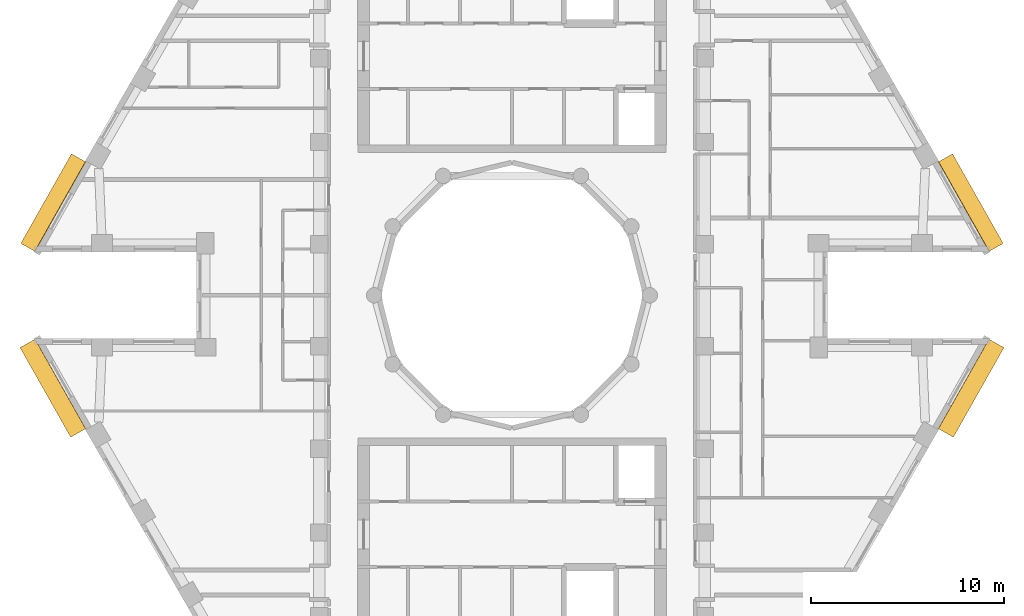
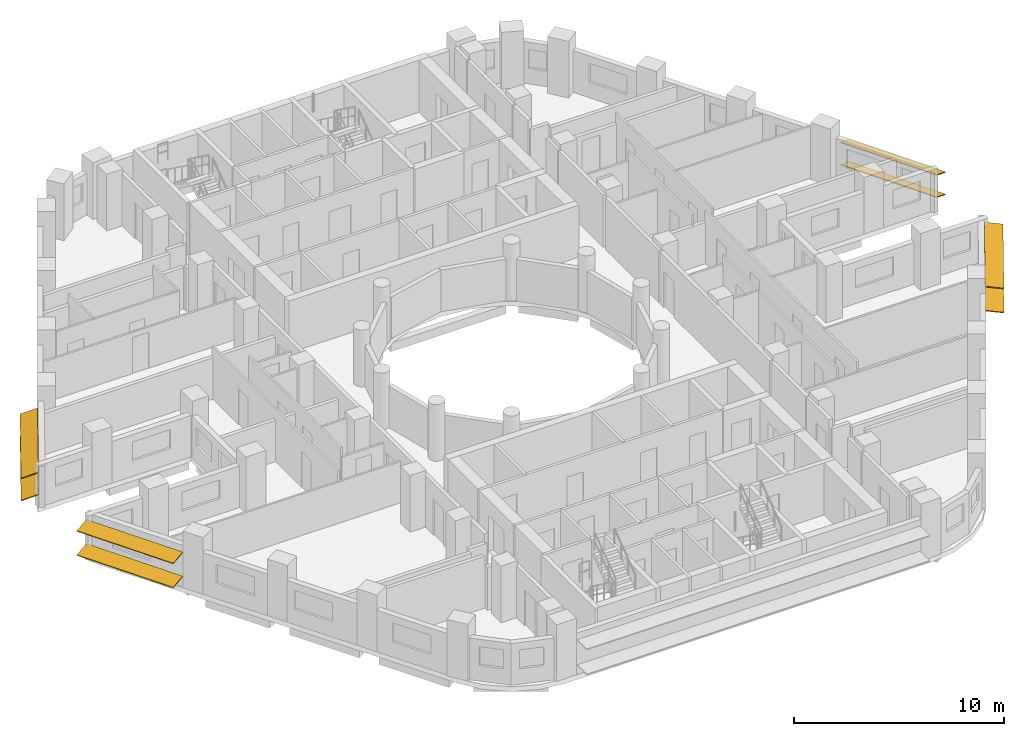
# One storey, part 11 of 12: 8 shading devices.
"""IFC4 building model written with IfcOpenShell, lengths in metres."""

from ifc_helpers import new_model, si_unit, direction, frame, origin, origin_2d, place, context, subcontext, project, spatial, rectangle, extrude, material, material_profile, profile_set, type_object, element, save


model = new_model("IFC4")

# Units and contexts
model_context = context("Model", 3, precision=1e-05, world=origin(), true_north=direction((0.0, 1.0)))
body_context = subcontext(model_context, "Body", "Model", "MODEL_VIEW")
ifc_project = project(units=[si_unit("LENGTHUNIT", "METRE"), si_unit("AREAUNIT", "SQUARE_METRE"), si_unit("VOLUMEUNIT", "CUBIC_METRE"), si_unit("PLANEANGLEUNIT", "RADIAN"), si_unit("MASSUNIT", "GRAM", prefix="KILO")], contexts=[model_context])

# Site, building, storey
site_placement = place(None, origin())
site = spatial("IfcSite", under=ifc_project, at=site_placement, CompositionType="ELEMENT")
building_placement = place(site_placement, origin())
building = spatial("IfcBuilding", under=site, at=building_placement, Name="Nakaniwa Court", CompositionType="ELEMENT")
storey_placement = place(building_placement, frame((0.0, 0.0, 255.89990234375)))
storey = spatial("IfcBuildingStorey", under=building, at=storey_placement, Name="L67", CompositionType="ELEMENT", Elevation=255.89990234375)

# Shading devices
ifc_material = material(Name="Perforated charcoal ceramic louvre blade")
ifc_material_profile = material_profile(ifc_material, rectangle(XDim=0.89990234375, YDim=0.050048828125, at=origin_2d()), Name="Perforated ceramic louvre blade")
ifc_profile_set = profile_set([ifc_material_profile], Name="Perforated charcoal ceramic louvre blade")
shading_device_type = type_object("IfcShadingDeviceType", Name="Perforated ceramic louvre blade", PredefinedType="JALOUSIE", material=ifc_profile_set)
for number, where, z_axis, x_axis, name in (
    (1, (105.103759765625, 82.480224609375, 0.550048828125), (-0.492088911474, 0.870544946114, 0.0), (-0.804858877011, -0.454958851288, 0.38107037635), "L67 perforated ceramic louvre blade w02 1"),
    (2, (105.103759765625, 82.480224609375, 1.845458984375), (-0.492088911474, 0.870544946114, 0.0), (-0.804858877011, -0.454958851288, 0.38107037635), "L67 perforated ceramic louvre blade w02 2"),
    (3, (57.5224609375, 87.126220703125, 0.550048828125), (-0.492088911474, -0.870544946114, 0.0), (0.804858877011, -0.454958851288, 0.38107037635), "L67 perforated ceramic louvre blade w14 1"),
    (4, (57.5224609375, 87.126220703125, 1.845458984375), (-0.492088911474, -0.870544946114, 0.0), (0.804858877011, -0.454958851288, 0.38107037635), "L67 perforated ceramic louvre blade w14 2"),
):
    element("IfcShadingDevice", number, at=place(storey_placement, frame(where, z_axis=z_axis, x_axis=x_axis)), inside=storey, type_object=shading_device_type, Name=name, PredefinedType="JALOUSIE", context=body_context, shape_type="SweptSolid", body=[
        extrude(rectangle(XDim=0.89990234375, YDim=0.050048828125, at=origin_2d()), origin(), (0.0, 0.0, 1.0), 5.3369140625),
    ])
for number, where, z_axis, x_axis, name in (
    (5, (54.87548828125, 77.508056640625, 0.550048828125), (0.492108509021, -0.870533868008, 0.0), (0.862886698285, 0.487785601632, 0.132256390257), "L67 perforated ceramic louvre blade w20 1"),
    (6, (54.87548828125, 77.508056640625, 1.955810546875), (0.492108509021, -0.870533868008, 0.0), (0.862886698285, 0.487785601632, 0.132256390257), "L67 perforated ceramic louvre blade w20 2"),
    (7, (102.498291015625, 72.8623046875, 0.550048828125), (0.492108509021, 0.870533868008, 0.0), (-0.862886698285, 0.487785601632, 0.132256390257), "L67 perforated ceramic louvre blade w32 1"),
    (8, (102.498291015625, 72.8623046875, 1.955810546875), (0.492108509021, 0.870533868008, 0.0), (-0.862886698285, 0.487785601632, 0.132256390257), "L67 perforated ceramic louvre blade w32 2"),
):
    element("IfcShadingDevice", number, at=place(storey_placement, frame(where, z_axis=z_axis, x_axis=x_axis)), inside=storey, type_object=shading_device_type, Name=name, PredefinedType="JALOUSIE", context=body_context, shape_type="SweptSolid", body=[
        extrude(rectangle(XDim=0.89990234375, YDim=0.050048828125, at=origin_2d()), origin(), (0.0, 0.0, 1.0), 5.336669921875),
    ])

save(model, "model.ifc")
